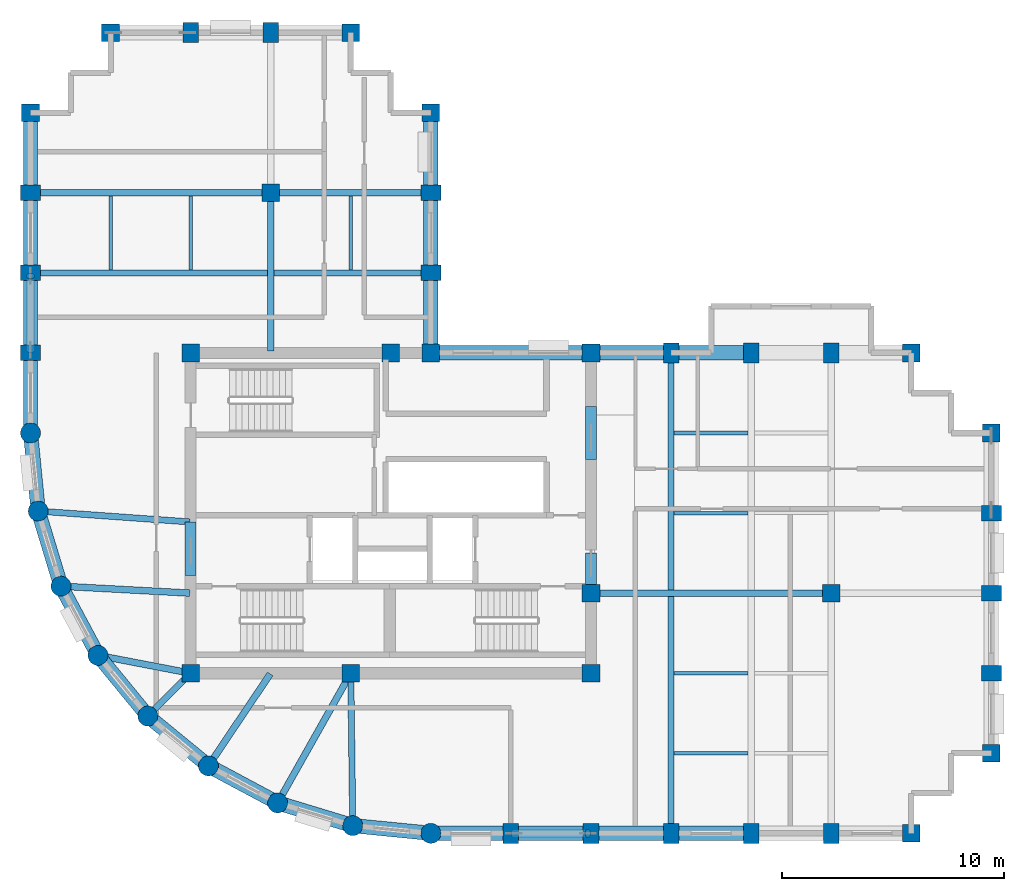
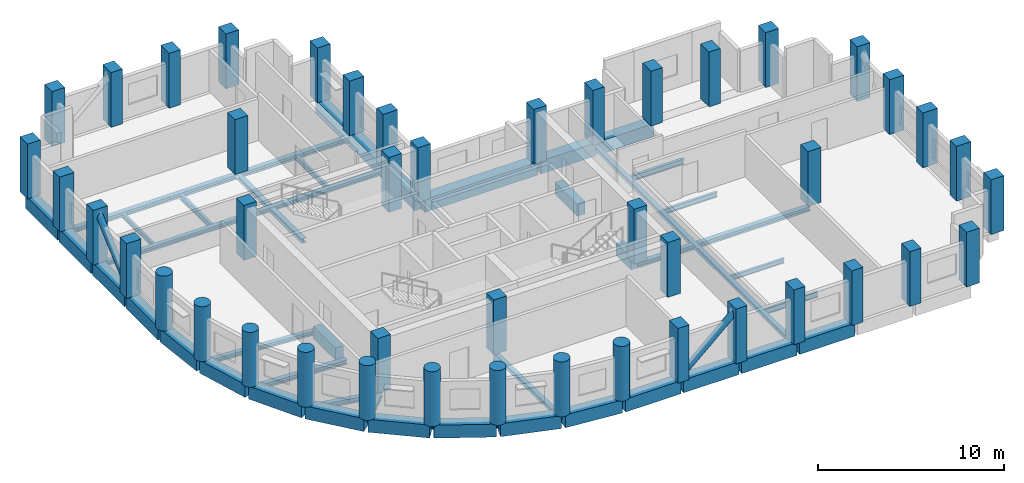
# One storey, part 1 of 7: 45 beams, 45 columns, 2 members.
"""IFC4 building model written with IfcOpenShell, lengths in metres."""

from ifc_helpers import new_model, si_unit, direction, frame, origin, origin_2d, place, context, subcontext, project, spatial, rectangle, circle, hollow_circle, i_section, extrude, material, material_profile, profile_set, type_object, element, save


model = new_model("IFC4")

# Units and contexts
model_context = context("Model", 3, precision=1e-05, world=origin(), true_north=direction((0.0, 1.0)))
body_context = subcontext(model_context, "Body", "Model", "MODEL_VIEW")
ifc_project = project(units=[si_unit("LENGTHUNIT", "METRE"), si_unit("AREAUNIT", "SQUARE_METRE"), si_unit("VOLUMEUNIT", "CUBIC_METRE"), si_unit("PLANEANGLEUNIT", "RADIAN"), si_unit("MASSUNIT", "GRAM", prefix="KILO")], contexts=[model_context])

# Site, building, storey
site_placement = place(None, origin())
site = spatial("IfcSite", under=ifc_project, at=site_placement, CompositionType="ELEMENT")
building_placement = place(site_placement, origin())
building = spatial("IfcBuilding", under=site, at=building_placement, Name="Solnavia Interchange Tower", CompositionType="ELEMENT")
storey_placement = place(building_placement, frame((0.0, 0.0, 213.800048828125)))
storey = spatial("IfcBuildingStorey", under=building, at=storey_placement, Name="L53", CompositionType="ELEMENT", Elevation=213.800048828125)

# Columns
ifc_material_1 = material(Name="Concrete C50/60", Category="concrete")
ifc_material_profile_1 = material_profile(ifc_material_1, rectangle(XDim=0.800048828125, YDim=0.800048828125, at=origin_2d()), Name="RC 800x800")
ifc_profile_set_1 = profile_set([ifc_material_profile_1], Name="Concrete C50/60")
column_type_1 = type_object("IfcColumnType", Name="Col-RC-800x800", PredefinedType="COLUMN", material=ifc_profile_set_1)
for number, where, z_axis, x_axis, name in (
    (1, (7.199951171875, 36.0, 0.0), (0.0, 0.0, 1.0), (0.0, 1.0, 0.0), "COL-L53-05 Tower corner column"),
    (2, (10.800048828125, 39.60009765625, 0.0), (0.0, 0.0, 1.0), (1.0, 0.0, 0.0), "COL-L53-09 Tower corner column"),
    (3, (14.39990234375, 10.800048828125, 0.0), (0.0, 0.0, 1.0), (1.0, 0.0, 0.0), "COL-L53-11 Tower interior column"),
    (4, (14.39990234375, 25.199951171875, 0.0), (0.0, 0.0, 1.0), (1.0, 0.0, 0.0), "COL-L53-12 Tower interior column"),
    (5, (18.0, 32.39990234375, 0.0), (0.0, 0.0, 1.0), (1.0, 0.0, 0.0), "COL-L53-15 Tower interior column"),
    (6, (21.60009765625, 10.800048828125, 0.0), (0.0, 0.0, 1.0), (1.0, 0.0, 0.0), "COL-L53-18 Tower interior column"),
    (7, (21.60009765625, 39.60009765625, 0.0), (0.0, 0.0, 1.0), (1.0, 0.0, 0.0), "COL-L53-19 Tower corner column"),
    (8, (23.39990234375, 25.199951171875, 0.0), (0.0, 0.0, 1.0), (1.0, 0.0, 0.0), "COL-L53-21 Tower interior column"),
    (9, (25.199951171875, 25.199951171875, 0.0), (0.0, 0.0, 1.0), (1.0, 0.0, 0.0), "COL-L53-23 Tower interior column"),
    (10, (25.199951171875, 36.0, 0.0), (0.0, 0.0, 1.0), (0.0, 1.0, 0.0), "COL-L53-26 Tower corner column"),
    (11, (32.39990234375, 10.800048828125, 0.0), (0.0, 0.0, 1.0), (1.0, 0.0, 0.0), "COL-L53-29 Tower interior column"),
    (12, (32.39990234375, 14.39990234375, 0.0), (0.0, 0.0, 1.0), (1.0, 0.0, 0.0), "COL-L53-30 Tower interior column"),
    (13, (32.39990234375, 25.199951171875, 0.0), (0.0, 0.0, 1.0), (1.0, 0.0, 0.0), "COL-L53-31 Tower interior column"),
    (14, (43.199951171875, 14.39990234375, 0.0), (0.0, 0.0, 1.0), (1.0, 0.0, 0.0), "COL-L53-37 Tower interior column"),
    (15, (46.800048828125, 3.60009765625, 0.0), (0.0, 0.0, 1.0), (1.0, 0.0, 0.0), "COL-L53-39 Tower corner column"),
    (16, (46.800048828125, 25.199951171875, 0.0), (0.0, 0.0, 1.0), (1.0, 0.0, 0.0), "COL-L53-40 Tower corner column"),
    (17, (50.39990234375, 7.199951171875, 0.0), (0.0, 0.0, 1.0), (1.0, 0.0, 0.0), "COL-L53-41 Tower corner column"),
    (18, (50.39990234375, 21.60009765625, 0.0), (0.0, 0.0, 1.0), (0.0, 1.0, 0.0), "COL-L53-45 Tower corner column"),
):
    element("IfcColumn", number, at=place(storey_placement, frame(where, z_axis=z_axis, x_axis=x_axis)), inside=storey, type_object=column_type_1, Name=name, PredefinedType="COLUMN", context=body_context, shape_type="SweptSolid", body=[
        extrude(rectangle(XDim=0.800048828125, YDim=0.800048828125, at=origin_2d()), origin(), (0.0, 0.0, 1.0), 3.599853515625),
    ])
ifc_material_profile_2 = material_profile(ifc_material_1, rectangle(XDim=0.699951171875, YDim=0.89990234375, at=origin_2d()), Name="RC 900x700")
ifc_profile_set_2 = profile_set([ifc_material_profile_2], Name="Concrete C50/60")
column_type_2 = type_object("IfcColumnType", Name="Col-RC-900x700", PredefinedType="COLUMN", material=ifc_profile_set_2)
for number, where, z_axis, x_axis, name in (
    (19, (7.199951171875, 25.199951171875, 0.0), (0.0, 0.0, 1.0), (0.0, 1.0, 0.0), "COL-L53-02 Tower perim y column"),
    (20, (7.199951171875, 28.800048828125, 0.0), (0.0, 0.0, 1.0), (0.0, 1.0, 0.0), "COL-L53-03 Tower perim y column"),
    (21, (7.199951171875, 32.39990234375, 0.0), (0.0, 0.0, 1.0), (0.0, 1.0, 0.0), "COL-L53-04 Tower perim y column"),
    (22, (14.39990234375, 39.60009765625, 0.0), (0.0, 0.0, 1.0), (1.0, 0.0, 0.0), "COL-L53-13 Tower perim x column"),
    (23, (18.0, 39.60009765625, 0.0), (0.0, 0.0, 1.0), (1.0, 0.0, 0.0), "COL-L53-16 Tower perim x column"),
    (24, (25.199951171875, 28.800048828125, 0.0), (0.0, 0.0, 1.0), (0.0, 1.0, 0.0), "COL-L53-24 Tower perim y column"),
    (25, (25.199951171875, 32.39990234375, 0.0), (0.0, 0.0, 1.0), (0.0, 1.0, 0.0), "COL-L53-25 Tower perim y column"),
    (26, (28.800048828125, 3.60009765625, 0.0), (0.0, 0.0, 1.0), (1.0, 0.0, 0.0), "COL-L53-27 Tower perim x column"),
    (27, (32.39990234375, 3.60009765625, 0.0), (0.0, 0.0, 1.0), (1.0, 0.0, 0.0), "COL-L53-28 Tower perim x column"),
    (28, (36.0, 3.60009765625, 0.0), (0.0, 0.0, 1.0), (1.0, 0.0, 0.0), "COL-L53-32 Tower perim x column"),
    (29, (36.0, 25.199951171875, 0.0), (0.0, 0.0, 1.0), (1.0, 0.0, 0.0), "COL-L53-33 Tower perim x column"),
    (30, (39.60009765625, 3.60009765625, 0.0), (0.0, 0.0, 1.0), (1.0, 0.0, 0.0), "COL-L53-34 Tower perim x column"),
    (31, (39.60009765625, 25.199951171875, 0.0), (0.0, 0.0, 1.0), (1.0, 0.0, 0.0), "COL-L53-35 Tower perim x column"),
    (32, (43.199951171875, 3.60009765625, 0.0), (0.0, 0.0, 1.0), (1.0, 0.0, 0.0), "COL-L53-36 Tower perim x column"),
    (33, (43.199951171875, 25.199951171875, 0.0), (0.0, 0.0, 1.0), (1.0, 0.0, 0.0), "COL-L53-38 Tower perim x column"),
    (34, (50.39990234375, 10.800048828125, 0.0), (0.0, 0.0, 1.0), (0.0, 1.0, 0.0), "COL-L53-42 Tower perim y column"),
    (35, (50.39990234375, 14.39990234375, 0.0), (0.0, 0.0, 1.0), (0.0, 1.0, 0.0), "COL-L53-43 Tower perim y column"),
    (36, (50.39990234375, 18.0, 0.0), (0.0, 0.0, 1.0), (0.0, 1.0, 0.0), "COL-L53-44 Tower perim y column"),
):
    element("IfcColumn", number, at=place(storey_placement, frame(where, z_axis=z_axis, x_axis=x_axis)), inside=storey, type_object=column_type_2, Name=name, PredefinedType="COLUMN", context=body_context, shape_type="SweptSolid", body=[
        extrude(rectangle(XDim=0.699951171875, YDim=0.89990234375, at=origin_2d()), origin(), (0.0, 0.0, 1.0), 3.599853515625),
    ])
ifc_material_profile_3 = material_profile(ifc_material_1, circle(Radius=0.449951171875, at=origin_2d()), Name="RC D900")
ifc_profile_set_3 = profile_set([ifc_material_profile_3], Name="Concrete C50/60")
column_type_3 = type_object("IfcColumnType", Name="Col-RC-D900", PredefinedType="COLUMN", material=ifc_profile_set_3)
for number, where, z_axis, x_axis, name in (
    (37, (7.199951171875, 21.60009765625, 0.0), (0.0, 0.0, 1.0), (1.0, 0.0, 0.0), "COL-L53-01 Tower drum column"),
    (38, (7.5458984375, 18.087890625, 0.0), (0.0, 0.0, 1.0), (1.0, 0.0, 0.0), "COL-L53-06 Tower drum column"),
    (39, (8.570068359375, 14.7119140625, 0.0), (0.0, 0.0, 1.0), (1.0, 0.0, 0.0), "COL-L53-07 Tower drum column"),
    (40, (10.23388671875, 11.60009765625, 0.0), (0.0, 0.0, 1.0), (1.0, 0.0, 0.0), "COL-L53-08 Tower drum column"),
    (41, (12.471923828125, 8.8720703125, 0.0), (0.0, 0.0, 1.0), (1.0, 0.0, 0.0), "COL-L53-10 Tower drum column"),
    (42, (15.199951171875, 6.634033203125, 0.0), (0.0, 0.0, 1.0), (1.0, 0.0, 0.0), "COL-L53-14 Tower drum column"),
    (43, (18.31201171875, 4.969970703125, 0.0), (0.0, 0.0, 1.0), (1.0, 0.0, 0.0), "COL-L53-17 Tower drum column"),
    (44, (21.68798828125, 3.946044921875, 0.0), (0.0, 0.0, 1.0), (1.0, 0.0, 0.0), "COL-L53-20 Tower drum column"),
    (45, (25.199951171875, 3.60009765625, 0.0), (0.0, 0.0, 1.0), (1.0, 0.0, 0.0), "COL-L53-22 Tower drum column"),
):
    element("IfcColumn", number, at=place(storey_placement, frame(where, z_axis=z_axis, x_axis=x_axis)), inside=storey, type_object=column_type_3, Name=name, PredefinedType="COLUMN", context=body_context, shape_type="SweptSolid", body=[
        extrude(circle(Radius=0.449951171875, at=origin_2d()), origin(), (0.0, 0.0, 1.0), 3.599853515625),
    ])

# Beams
ifc_material_profile_4 = material_profile(ifc_material_1, rectangle(XDim=0.5, YDim=0.800048828125, at=origin_2d()), Name="RC 500x800")
ifc_profile_set_4 = profile_set([ifc_material_profile_4], Name="Concrete C50/60")
beam_type_1 = type_object("IfcBeamType", Name="Beam-Coupling-RC500x800", PredefinedType="LINTEL", material=ifc_profile_set_4)
beam_1_placement = place(storey_placement, frame((14.39990234375, 15.199951171875, -0.400146484375), z_axis=(0.0, 1.0, 0.0), x_axis=(-1.0, 0.0, 0.0)))
element("IfcBeam", 46, at=beam_1_placement, inside=storey, type_object=beam_type_1, Name="CPB-L53-W1 Core coupling lintel beam", PredefinedType="LINTEL", context=body_context, shape_type="SweptSolid", body=[
    extrude(rectangle(XDim=0.5, YDim=0.800048828125, at=origin_2d()), origin(), (0.0, 0.0, 1.0), 2.400146484375),
])
beam_2_placement = place(storey_placement, frame((32.39990234375, 14.60009765625, -0.400146484375), z_axis=(0.0, 1.0, 0.0), x_axis=(-1.0, 0.0, 0.0)))
element("IfcBeam", 47, at=beam_2_placement, inside=storey, type_object=beam_type_1, Name="CPB-L53-E1 Core coupling lintel beam", PredefinedType="LINTEL", context=body_context, shape_type="SweptSolid", body=[
    extrude(rectangle(XDim=0.5, YDim=0.800048828125, at=origin_2d()), origin(), (0.0, 0.0, 1.0), 1.599853515625),
])
beam_3_placement = place(storey_placement, frame((32.39990234375, 20.39990234375, -0.400146484375), z_axis=(0.0, 1.0, 0.0), x_axis=(-1.0, 0.0, 0.0)))
element("IfcBeam", 48, at=beam_3_placement, inside=storey, type_object=beam_type_1, Name="CPB-L53-E2 Core coupling lintel beam", PredefinedType="LINTEL", context=body_context, shape_type="SweptSolid", body=[
    extrude(rectangle(XDim=0.5, YDim=0.800048828125, at=origin_2d()), origin(), (0.0, 0.0, 1.0), 2.400146484375),
])
ifc_material_2 = material(Name="Steel S460", Category="steel")
ifc_material_profile_5 = material_profile(ifc_material_2, i_section(OverallWidth=0.300048828125, OverallDepth=0.300048828125, WebThickness=0.010986328125, FlangeThickness=0.01904296875, FilletRadius=0.027099609375, at=origin_2d()), Name="HEB 300")
ifc_profile_set_5 = profile_set([ifc_material_profile_5], Name="Steel S460")
beam_type_2 = type_object("IfcBeamType", Name="Beam-Girder-HEB300", PredefinedType="BEAM", material=ifc_profile_set_5)
beam_4_placement = place(storey_placement, frame((32.47998046875, 14.39990234375, -0.400146484375), z_axis=(1.0, 0.0, 0.0), x_axis=(0.0, 1.0, 0.0)))
element("IfcBeam", 49, at=beam_4_placement, inside=storey, type_object=beam_type_2, Name="GRD-L53-ES01 East wing spine girder", PredefinedType="BEAM", context=body_context, shape_type="SweptSolid", body=[
    extrude(i_section(OverallWidth=0.300048828125, OverallDepth=0.300048828125, WebThickness=0.010986328125, FlangeThickness=0.01904296875, FilletRadius=0.027099609375, at=origin_2d()), origin(), (0.0, 0.0, 1.0), 10.64013671875),
])
beam_5_placement = place(storey_placement, frame((18.0, 25.280029296875, -0.400146484375), z_axis=(0.0, 1.0, 0.0), x_axis=(-1.0, 0.0, 0.0)))
element("IfcBeam", 50, at=beam_5_placement, inside=storey, type_object=beam_type_2, Name="GRD-L53-NS07 North wing spine girder", PredefinedType="BEAM", context=body_context, shape_type="SweptSolid", body=[
    extrude(i_section(OverallWidth=0.300048828125, OverallDepth=0.300048828125, WebThickness=0.010986328125, FlangeThickness=0.01904296875, FilletRadius=0.027099609375, at=origin_2d()), origin(), (0.0, 0.0, 1.0), 7.0400390625),
])
beam_6_placement = place(storey_placement, frame((7.280029296875, 32.39990234375, -0.400146484375), z_axis=(1.0, 0.0, 0.0), x_axis=(0.0, 1.0, 0.0)))
element("IfcBeam", 51, at=beam_6_placement, inside=storey, type_object=beam_type_2, Name="GRD-L53-NW10 North wing primary floor girder", PredefinedType="BEAM", context=body_context, shape_type="SweptSolid", body=[
    extrude(i_section(OverallWidth=0.300048828125, OverallDepth=0.300048828125, WebThickness=0.010986328125, FlangeThickness=0.01904296875, FilletRadius=0.027099609375, at=origin_2d()), origin(), (0.0, 0.0, 1.0), 10.639892578125),
])
beam_7_placement = place(storey_placement, frame((18.080078125, 32.39990234375, -0.400146484375), z_axis=(1.0, 0.0, 0.0), x_axis=(0.0, 1.0, 0.0)))
element("IfcBeam", 52, at=beam_7_placement, inside=storey, type_object=beam_type_2, Name="GRD-L53-NW11 North wing primary floor girder", PredefinedType="BEAM", context=body_context, shape_type="SweptSolid", body=[
    extrude(i_section(OverallWidth=0.300048828125, OverallDepth=0.300048828125, WebThickness=0.010986328125, FlangeThickness=0.01904296875, FilletRadius=0.027099609375, at=origin_2d()), origin(), (0.0, 0.0, 1.0), 7.0400390625),
])
beam_8_placement = place(storey_placement, frame((8.64990234375, 14.707763671875, -0.400146484375), z_axis=(0.998570371303, -0.053452909696, 0.0), x_axis=(0.053452909696, 0.998570371303, 0.0)))
element("IfcBeam", 53, at=beam_8_placement, inside=storey, type_object=beam_type_2, Name="GRD-L53-DR13 Drum radial floor girder", PredefinedType="BEAM", context=body_context, shape_type="SweptSolid", body=[
    extrude(i_section(OverallWidth=0.300048828125, OverallDepth=0.300048828125, WebThickness=0.010986328125, FlangeThickness=0.01904296875, FilletRadius=0.027099609375, at=origin_2d()), origin(), (0.0, 0.0, 1.0), 5.71826171875),
])
beam_9_placement = place(storey_placement, frame((15.24462890625, 6.700439453125, -0.400146484375), z_axis=(0.557835474219, 0.829951555033, 0.0), x_axis=(-0.829951555033, 0.557835474219, 0.0)))
element("IfcBeam", 54, at=beam_9_placement, inside=storey, type_object=beam_type_2, Name="GRD-L53-DR16 Drum radial floor girder", PredefinedType="BEAM", context=body_context, shape_type="SweptSolid", body=[
    extrude(i_section(OverallWidth=0.300048828125, OverallDepth=0.300048828125, WebThickness=0.010986328125, FlangeThickness=0.01904296875, FilletRadius=0.027099609375, at=origin_2d()), origin(), (0.0, 0.0, 1.0), 4.899658203125),
])
ifc_material_3 = material(Name="Steel S355", Category="steel")
ifc_material_profile_6 = material_profile(ifc_material_3, i_section(OverallWidth=0.14990234375, OverallDepth=0.300048828125, WebThickness=0.007080078125, FlangeThickness=0.0107421875, FilletRadius=0.014892578125, at=origin_2d()), Name="IPE 300")
ifc_profile_set_6 = profile_set([ifc_material_profile_6], Name="Steel S355")
beam_type_3 = type_object("IfcBeamType", Name="Beam-Joist-IPE300", PredefinedType="JOIST", material=ifc_profile_set_6)
for number, where, z_axis, x_axis, name in (
    (55, (36.139892578125, 10.800048828125, -0.400146484375), (1.0, 0.0, 0.0), (0.0, 1.0, 0.0), "JST-L53-E03 East wing secondary joist"),
    (56, (10.800048828125, 28.93994140625, -0.400146484375), (0.0, 1.0, 0.0), (-1.0, 0.0, 0.0), "JST-L53-N09 North wing secondary joist"),
):
    element("IfcBeam", number, at=place(storey_placement, frame(where, z_axis=z_axis, x_axis=x_axis)), inside=storey, type_object=beam_type_3, Name=name, PredefinedType="JOIST", context=body_context, shape_type="SweptSolid", body=[
        extrude(i_section(OverallWidth=0.14990234375, OverallDepth=0.300048828125, WebThickness=0.007080078125, FlangeThickness=0.0107421875, FilletRadius=0.014892578125, at=origin_2d()), origin(), (0.0, 0.0, 1.0), 3.31005859375),
    ])
ifc_material_profile_7 = material_profile(ifc_material_3, i_section(OverallWidth=0.159912109375, OverallDepth=0.330078125, WebThickness=0.007568359375, FlangeThickness=0.011474609375, FilletRadius=0.01806640625, at=origin_2d()), Name="IPE 330")
ifc_profile_set_7 = profile_set([ifc_material_profile_7], Name="Steel S355")
beam_type_4 = type_object("IfcBeamType", Name="Beam-Joist-IPE330", PredefinedType="JOIST", material=ifc_profile_set_7)
for number, where, z_axis, x_axis, name in (
    (57, (36.139892578125, 18.0, -0.4150390625), (1.0, 0.0, 0.0), (0.0, 1.0, 0.0), "JST-L53-E05 East wing secondary joist"),
    (58, (21.60009765625, 28.93994140625, -0.4150390625), (0.0, 1.0, 0.0), (-1.0, 0.0, 0.0), "JST-L53-N11 North wing secondary joist"),
):
    element("IfcBeam", number, at=place(storey_placement, frame(where, z_axis=z_axis, x_axis=x_axis)), inside=storey, type_object=beam_type_4, Name=name, PredefinedType="JOIST", context=body_context, shape_type="SweptSolid", body=[
        extrude(i_section(OverallWidth=0.159912109375, OverallDepth=0.330078125, WebThickness=0.007568359375, FlangeThickness=0.011474609375, FilletRadius=0.01806640625, at=origin_2d()), origin(), (0.0, 0.0, 1.0), 3.31005859375),
    ])
ifc_material_profile_8 = material_profile(ifc_material_3, i_section(OverallWidth=0.169921875, OverallDepth=0.360107421875, WebThickness=0.008056640625, FlangeThickness=0.0126953125, FilletRadius=0.01806640625, at=origin_2d()), Name="IPE 360")
ifc_profile_set_8 = profile_set([ifc_material_profile_8], Name="Steel S355")
beam_type_5 = type_object("IfcBeamType", Name="Beam-Joist-IPE360", PredefinedType="JOIST", material=ifc_profile_set_8)
for number, where, z_axis, x_axis, name in (
    (59, (36.139892578125, 7.199951171875, -0.429931640625), (1.0, 0.0, 0.0), (0.0, 1.0, 0.0), "JST-L53-E01 East wing secondary joist"),
    (60, (36.139892578125, 21.60009765625, -0.429931640625), (1.0, 0.0, 0.0), (0.0, 1.0, 0.0), "JST-L53-E07 East wing secondary joist"),
    (61, (14.39990234375, 28.93994140625, -0.429931640625), (0.0, 1.0, 0.0), (-1.0, 0.0, 0.0), "JST-L53-N10 North wing secondary joist"),
):
    element("IfcBeam", number, at=place(storey_placement, frame(where, z_axis=z_axis, x_axis=x_axis)), inside=storey, type_object=beam_type_5, Name=name, PredefinedType="JOIST", context=body_context, shape_type="SweptSolid", body=[
        extrude(i_section(OverallWidth=0.169921875, OverallDepth=0.360107421875, WebThickness=0.008056640625, FlangeThickness=0.0126953125, FilletRadius=0.01806640625, at=origin_2d()), origin(), (0.0, 0.0, 1.0), 3.31005859375),
    ])
ifc_material_profile_9 = material_profile(ifc_material_3, i_section(OverallWidth=0.280029296875, OverallDepth=0.27001953125, WebThickness=0.008056640625, FlangeThickness=0.012939453125, FilletRadius=0.02392578125, at=origin_2d()), Name="HEA 280")
ifc_profile_set_9 = profile_set([ifc_material_profile_9], Name="Steel S355")
beam_type_6 = type_object("IfcBeamType", Name="Beam-Primary-HEA280", PredefinedType="BEAM", material=ifc_profile_set_9)
beam_10_placement = place(storey_placement, frame((36.0, 3.679931640625, -0.385009765625), z_axis=(0.0, 1.0, 0.0), x_axis=(-1.0, 0.0, 0.0)))
element("IfcBeam", 62, at=beam_10_placement, inside=storey, type_object=beam_type_6, Name="GRD-L53-EW03 East wing primary floor girder", PredefinedType="BEAM", context=body_context, shape_type="SweptSolid", body=[
    extrude(i_section(OverallWidth=0.280029296875, OverallDepth=0.27001953125, WebThickness=0.008056640625, FlangeThickness=0.012939453125, FilletRadius=0.02392578125, at=origin_2d()), origin(), (0.0, 0.0, 1.0), 21.440185546875),
])
beam_11_placement = place(storey_placement, frame((7.280029296875, 28.800048828125, -0.385009765625), z_axis=(1.0, 0.0, 0.0), x_axis=(0.0, 1.0, 0.0)))
element("IfcBeam", 63, at=beam_11_placement, inside=storey, type_object=beam_type_6, Name="GRD-L53-NW09 North wing primary floor girder", PredefinedType="BEAM", context=body_context, shape_type="SweptSolid", body=[
    extrude(i_section(OverallWidth=0.280029296875, OverallDepth=0.27001953125, WebThickness=0.008056640625, FlangeThickness=0.012939453125, FilletRadius=0.02392578125, at=origin_2d()), origin(), (0.0, 0.0, 1.0), 17.840087890625),
])
beam_12_placement = place(storey_placement, frame((7.625732421875, 18.082275390625, -0.385009765625), z_axis=(0.99747482749, -0.071020902015, 0.0), x_axis=(0.071020902015, 0.99747482749, 0.0)))
element("IfcBeam", 64, at=beam_12_placement, inside=storey, type_object=beam_type_6, Name="GRD-L53-DR12 Drum radial floor girder", PredefinedType="BEAM", context=body_context, shape_type="SweptSolid", body=[
    extrude(i_section(OverallWidth=0.280029296875, OverallDepth=0.27001953125, WebThickness=0.008056640625, FlangeThickness=0.012939453125, FilletRadius=0.02392578125, at=origin_2d()), origin(), (0.0, 0.0, 1.0), 6.75146484375),
])
beam_13_placement = place(storey_placement, frame((12.528564453125, 8.9287109375, -0.385009765625), z_axis=(0.707106781187, 0.707106781187, 0.0), x_axis=(-0.707106781187, 0.707106781187, 0.0)))
element("IfcBeam", 65, at=beam_13_placement, inside=storey, type_object=beam_type_6, Name="GRD-L53-DR15 Drum radial floor girder", PredefinedType="BEAM", context=body_context, shape_type="SweptSolid", body=[
    extrude(i_section(OverallWidth=0.280029296875, OverallDepth=0.27001953125, WebThickness=0.008056640625, FlangeThickness=0.012939453125, FilletRadius=0.02392578125, at=origin_2d()), origin(), (0.0, 0.0, 1.0), 2.6064453125),
])
beam_14_placement = place(storey_placement, frame((21.68701171875, 4.02587890625, -0.385009765625), z_axis=(-0.01283293513, 0.999917654498, 0.0), x_axis=(-0.999917654498, -0.01283293513, 0.0)))
element("IfcBeam", 66, at=beam_14_placement, inside=storey, type_object=beam_type_6, Name="GRD-L53-DR18 Drum radial floor girder", PredefinedType="BEAM", context=body_context, shape_type="SweptSolid", body=[
    extrude(i_section(OverallWidth=0.280029296875, OverallDepth=0.27001953125, WebThickness=0.008056640625, FlangeThickness=0.012939453125, FilletRadius=0.02392578125, at=origin_2d()), origin(), (0.0, 0.0, 1.0), 6.734619140625),
])
ifc_material_profile_10 = material_profile(ifc_material_3, i_section(OverallWidth=0.300048828125, OverallDepth=0.31005859375, WebThickness=0.009033203125, FlangeThickness=0.015380859375, FilletRadius=0.027099609375, at=origin_2d()), Name="HEA 320")
ifc_profile_set_10 = profile_set([ifc_material_profile_10], Name="Steel S355")
beam_type_7 = type_object("IfcBeamType", Name="Beam-Primary-HEA320", PredefinedType="BEAM", material=ifc_profile_set_10)
beam_15_placement = place(storey_placement, frame((10.3125, 11.5849609375, -0.405029296875), z_axis=(0.982057527796, -0.188581579428, 0.0), x_axis=(0.188581579428, 0.982057527796, 0.0)))
element("IfcBeam", 67, at=beam_15_placement, inside=storey, type_object=beam_type_7, Name="GRD-L53-DR14 Drum radial floor girder", PredefinedType="BEAM", context=body_context, shape_type="SweptSolid", body=[
    extrude(i_section(OverallWidth=0.300048828125, OverallDepth=0.31005859375, WebThickness=0.009033203125, FlangeThickness=0.015380859375, FilletRadius=0.027099609375, at=origin_2d()), origin(), (0.0, 0.0, 1.0), 4.1220703125),
])
beam_16_placement = place(storey_placement, frame((18.351318359375, 5.039794921875, -0.405029296875), z_axis=(0.491243158486, 0.871022479182, 0.0), x_axis=(-0.871022479182, 0.491243158486, 0.0)))
element("IfcBeam", 68, at=beam_16_placement, inside=storey, type_object=beam_type_7, Name="GRD-L53-DR17 Drum radial floor girder", PredefinedType="BEAM", context=body_context, shape_type="SweptSolid", body=[
    extrude(i_section(OverallWidth=0.300048828125, OverallDepth=0.31005859375, WebThickness=0.009033203125, FlangeThickness=0.015380859375, FilletRadius=0.027099609375, at=origin_2d()), origin(), (0.0, 0.0, 1.0), 6.5732421875),
])
ifc_material_profile_11 = material_profile(ifc_material_1, rectangle(XDim=0.64990234375, YDim=0.85009765625, at=origin_2d()), Name="RC 650x850")
ifc_profile_set_11 = profile_set([ifc_material_profile_11], Name="Concrete C50/60")
beam_type_8 = type_object("IfcBeamType", Name="Beam-Spandrel-RC650x850", PredefinedType="SPANDREL", material=ifc_profile_set_11)
beam_17_placement = place(storey_placement, frame((7.207763671875, 21.5205078125, -0.425048828125), z_axis=(0.098040038117, -0.995182471171, 0.0), x_axis=(0.995182471171, 0.098040038117, 0.0)))
element("IfcBeam", 69, at=beam_17_placement, inside=storey, type_object=beam_type_8, Name="SPB-L53-01 Framed-tube perimeter spandrel beam", PredefinedType="SPANDREL", context=body_context, shape_type="SweptSolid", body=[
    extrude(rectangle(XDim=0.64990234375, YDim=0.85009765625, at=origin_2d()), origin(), (0.0, 0.0, 1.0), 3.369140625),
])
beam_18_placement = place(storey_placement, frame((7.569091796875, 18.011474609375, -0.425048828125), z_axis=(0.290319223646, -0.956929855518, 0.0), x_axis=(0.956929855518, 0.290319223646, 0.0)))
element("IfcBeam", 70, at=beam_18_placement, inside=storey, type_object=beam_type_8, Name="SPB-L53-02 Framed-tube perimeter spandrel beam", PredefinedType="SPANDREL", context=body_context, shape_type="SweptSolid", body=[
    extrude(rectangle(XDim=0.64990234375, YDim=0.85009765625, at=origin_2d()), origin(), (0.0, 0.0, 1.0), 3.367919921875),
])
beam_19_placement = place(storey_placement, frame((8.607666015625, 14.6416015625, -0.425048828125), z_axis=(0.471509422952, -0.881861023102, 0.0), x_axis=(0.881861023102, 0.471509422952, 0.0)))
element("IfcBeam", 71, at=beam_19_placement, inside=storey, type_object=beam_type_8, Name="SPB-L53-03 Framed-tube perimeter spandrel beam", PredefinedType="SPANDREL", context=body_context, shape_type="SweptSolid", body=[
    extrude(rectangle(XDim=0.64990234375, YDim=0.85009765625, at=origin_2d()), origin(), (0.0, 0.0, 1.0), 3.369140625),
])
for number, where, z_axis, x_axis, name in (
    (72, (10.28466796875, 11.5380859375, -0.425048828125), (0.634298841675, -0.773087950656, 0.0), (0.773087950656, 0.634298841675, 0.0), "SPB-L53-04 Framed-tube perimeter spandrel beam"),
    (73, (12.53369140625, 8.8212890625, -0.425048828125), (0.773152644452, -0.634219984214, 0.0), (0.634219984214, 0.773152644452, 0.0), "SPB-L53-05 Framed-tube perimeter spandrel beam"),
):
    element("IfcBeam", number, at=place(storey_placement, frame(where, z_axis=z_axis, x_axis=x_axis)), inside=storey, type_object=beam_type_8, Name=name, PredefinedType="SPANDREL", context=body_context, shape_type="SweptSolid", body=[
        extrude(rectangle(XDim=0.64990234375, YDim=0.85009765625, at=origin_2d()), origin(), (0.0, 0.0, 1.0), 3.36865234375),
    ])
beam_20_placement = place(storey_placement, frame((15.2705078125, 6.59619140625, -0.425048828125), z_axis=(0.881875044348, -0.47148319817, 0.0), x_axis=(0.47148319817, 0.881875044348, 0.0)))
element("IfcBeam", 74, at=beam_20_placement, inside=storey, type_object=beam_type_8, Name="SPB-L53-06 Framed-tube perimeter spandrel beam", PredefinedType="SPANDREL", context=body_context, shape_type="SweptSolid", body=[
    extrude(rectangle(XDim=0.64990234375, YDim=0.85009765625, at=origin_2d()), origin(), (0.0, 0.0, 1.0), 3.368896484375),
])
beam_21_placement = place(storey_placement, frame((18.388671875, 4.94677734375, -0.425048828125), z_axis=(0.956943884494, -0.290272978297, 0.0), x_axis=(0.290272978297, 0.956943884494, 0.0)))
element("IfcBeam", 75, at=beam_21_placement, inside=storey, type_object=beam_type_8, Name="SPB-L53-07 Framed-tube perimeter spandrel beam", PredefinedType="SPANDREL", context=body_context, shape_type="SweptSolid", body=[
    extrude(rectangle(XDim=0.64990234375, YDim=0.85009765625, at=origin_2d()), origin(), (0.0, 0.0, 1.0), 3.36767578125),
])
beam_22_placement = place(storey_placement, frame((21.767578125, 3.938232421875, -0.425048828125), z_axis=(0.995181774609, -0.098047108501, 0.0), x_axis=(0.098047108501, 0.995181774609, 0.0)))
element("IfcBeam", 76, at=beam_22_placement, inside=storey, type_object=beam_type_8, Name="SPB-L53-08 Framed-tube perimeter spandrel beam", PredefinedType="SPANDREL", context=body_context, shape_type="SweptSolid", body=[
    extrude(rectangle(XDim=0.64990234375, YDim=0.85009765625, at=origin_2d()), origin(), (0.0, 0.0, 1.0), 3.368896484375),
])
beam_23_placement = place(storey_placement, frame((25.280029296875, 3.60009765625, -0.425048828125), z_axis=(1.0, 0.0, 0.0), x_axis=(0.0, 1.0, 0.0)))
element("IfcBeam", 77, at=beam_23_placement, inside=storey, type_object=beam_type_8, Name="SPB-L53-09 Framed-tube perimeter spandrel beam", PredefinedType="SPANDREL", context=body_context, shape_type="SweptSolid", body=[
    extrude(rectangle(XDim=0.64990234375, YDim=0.85009765625, at=origin_2d()), origin(), (0.0, 0.0, 1.0), 3.43994140625),
])
beam_24_placement = place(storey_placement, frame((28.8798828125, 3.60009765625, -0.425048828125), z_axis=(1.0, 0.0, 0.0), x_axis=(0.0, 1.0, 0.0)))
element("IfcBeam", 78, at=beam_24_placement, inside=storey, type_object=beam_type_8, Name="SPB-L53-10 Framed-tube perimeter spandrel beam", PredefinedType="SPANDREL", context=body_context, shape_type="SweptSolid", body=[
    extrude(rectangle(XDim=0.64990234375, YDim=0.85009765625, at=origin_2d()), origin(), (0.0, 0.0, 1.0), 3.440185546875),
])
for number, where, z_axis, x_axis, name in (
    (79, (32.47998046875, 3.60009765625, -0.425048828125), (1.0, 0.0, 0.0), (0.0, 1.0, 0.0), "SPB-L53-11 Framed-tube perimeter spandrel beam"),
    (80, (36.080078125, 3.60009765625, -0.425048828125), (1.0, 0.0, 0.0), (0.0, 1.0, 0.0), "SPB-L53-12 Framed-tube perimeter spandrel beam"),
    (81, (39.52001953125, 25.199951171875, -0.425048828125), (-1.0, 0.0, 0.0), (0.0, -1.0, 0.0), "SPB-L53-21 Framed-tube perimeter spandrel beam"),
    (82, (35.919921875, 25.199951171875, -0.425048828125), (-1.0, 0.0, 0.0), (0.0, -1.0, 0.0), "SPB-L53-22 Framed-tube perimeter spandrel beam"),
):
    element("IfcBeam", number, at=place(storey_placement, frame(where, z_axis=z_axis, x_axis=x_axis)), inside=storey, type_object=beam_type_8, Name=name, PredefinedType="SPANDREL", context=body_context, shape_type="SweptSolid", body=[
        extrude(rectangle(XDim=0.64990234375, YDim=0.85009765625, at=origin_2d()), origin(), (0.0, 0.0, 1.0), 3.43994140625),
    ])
beam_25_placement = place(storey_placement, frame((32.320068359375, 25.199951171875, -0.425048828125), z_axis=(-1.0, 0.0, 0.0), x_axis=(0.0, -1.0, 0.0)))
element("IfcBeam", 83, at=beam_25_placement, inside=storey, type_object=beam_type_8, Name="SPB-L53-23 Framed-tube perimeter spandrel beam", PredefinedType="SPANDREL", context=body_context, shape_type="SweptSolid", body=[
    extrude(rectangle(XDim=0.64990234375, YDim=0.85009765625, at=origin_2d()), origin(), (0.0, 0.0, 1.0), 7.0400390625),
])
beam_26_placement = place(storey_placement, frame((25.199951171875, 25.280029296875, -0.425048828125), z_axis=(0.0, 1.0, 0.0), x_axis=(-1.0, 0.0, 0.0)))
element("IfcBeam", 84, at=beam_26_placement, inside=storey, type_object=beam_type_8, Name="SPB-L53-24 Framed-tube perimeter spandrel beam", PredefinedType="SPANDREL", context=body_context, shape_type="SweptSolid", body=[
    extrude(rectangle(XDim=0.64990234375, YDim=0.85009765625, at=origin_2d()), origin(), (0.0, 0.0, 1.0), 3.43994140625),
])
beam_27_placement = place(storey_placement, frame((25.199951171875, 28.8798828125, -0.425048828125), z_axis=(0.0, 1.0, 0.0), x_axis=(-1.0, 0.0, 0.0)))
element("IfcBeam", 85, at=beam_27_placement, inside=storey, type_object=beam_type_8, Name="SPB-L53-25 Framed-tube perimeter spandrel beam", PredefinedType="SPANDREL", context=body_context, shape_type="SweptSolid", body=[
    extrude(rectangle(XDim=0.64990234375, YDim=0.85009765625, at=origin_2d()), origin(), (0.0, 0.0, 1.0), 3.440185546875),
])
for number, where, z_axis, x_axis, name in (
    (86, (25.199951171875, 32.47998046875, -0.425048828125), (0.0, 1.0, 0.0), (-1.0, 0.0, 0.0), "SPB-L53-26 Framed-tube perimeter spandrel beam"),
    (87, (7.199951171875, 35.919921875, -0.425048828125), (0.0, -1.0, 0.0), (1.0, 0.0, 0.0), "SPB-L53-30 Framed-tube perimeter spandrel beam"),
):
    element("IfcBeam", number, at=place(storey_placement, frame(where, z_axis=z_axis, x_axis=x_axis)), inside=storey, type_object=beam_type_8, Name=name, PredefinedType="SPANDREL", context=body_context, shape_type="SweptSolid", body=[
        extrude(rectangle(XDim=0.64990234375, YDim=0.85009765625, at=origin_2d()), origin(), (0.0, 0.0, 1.0), 3.43994140625),
    ])
beam_28_placement = place(storey_placement, frame((7.199951171875, 32.320068359375, -0.425048828125), z_axis=(0.0, -1.0, 0.0), x_axis=(1.0, 0.0, 0.0)))
element("IfcBeam", 88, at=beam_28_placement, inside=storey, type_object=beam_type_8, Name="SPB-L53-31 Framed-tube perimeter spandrel beam", PredefinedType="SPANDREL", context=body_context, shape_type="SweptSolid", body=[
    extrude(rectangle(XDim=0.64990234375, YDim=0.85009765625, at=origin_2d()), origin(), (0.0, 0.0, 1.0), 3.440185546875),
])
beam_29_placement = place(storey_placement, frame((7.199951171875, 28.719970703125, -0.425048828125), z_axis=(0.0, -1.0, 0.0), x_axis=(1.0, 0.0, 0.0)))
element("IfcBeam", 89, at=beam_29_placement, inside=storey, type_object=beam_type_8, Name="SPB-L53-32 Framed-tube perimeter spandrel beam", PredefinedType="SPANDREL", context=body_context, shape_type="SweptSolid", body=[
    extrude(rectangle(XDim=0.64990234375, YDim=0.85009765625, at=origin_2d()), origin(), (0.0, 0.0, 1.0), 3.43994140625),
])
beam_30_placement = place(storey_placement, frame((7.199951171875, 25.1201171875, -0.425048828125), z_axis=(0.0, -1.0, 0.0), x_axis=(1.0, 0.0, 0.0)))
element("IfcBeam", 90, at=beam_30_placement, inside=storey, type_object=beam_type_8, Name="SPB-L53-33 Framed-tube perimeter spandrel beam", PredefinedType="SPANDREL", context=body_context, shape_type="SweptSolid", body=[
    extrude(rectangle(XDim=0.64990234375, YDim=0.85009765625, at=origin_2d()), origin(), (0.0, 0.0, 1.0), 3.440185546875),
])

# Members
ifc_material_profile_12 = material_profile(ifc_material_2, hollow_circle(Radius=0.203125, WallThickness=0.02001953125, at=origin_2d()), Name="CHS 406.4x20")
ifc_profile_set_12 = profile_set([ifc_material_profile_12], Name="Steel S460")
member_type = type_object("IfcMemberType", Name="Brace-Perim-CHS406", PredefinedType="BRACE", material=ifc_profile_set_12)
member_1_placement = place(storey_placement, frame((28.93994140625, 3.60009765625, 0.179931640625), z_axis=(0.74307946371, 0.0, 0.669203190827), x_axis=(0.0, 1.0, 0.0)))
element("IfcMember", 91, at=member_1_placement, inside=storey, type_object=member_type, Name="BRC-L53-01 Perimeter tube diagonal brace", PredefinedType="BRACE", context=body_context, shape_type="SweptSolid", body=[
    extrude(hollow_circle(Radius=0.203125, WallThickness=0.02001953125, at=origin_2d()), origin(), (0.0, 0.0, 1.0), 4.468017578125),
])
member_2_placement = place(storey_placement, frame((7.199951171875, 25.340087890625, 0.179931640625), z_axis=(0.0, 0.743054991638, 0.669230363479), x_axis=(-1.0, 0.0, 0.0)))
element("IfcMember", 92, at=member_2_placement, inside=storey, type_object=member_type, Name="BRC-L53-02 Perimeter tube diagonal brace", PredefinedType="BRACE", context=body_context, shape_type="SweptSolid", body=[
    extrude(hollow_circle(Radius=0.203125, WallThickness=0.02001953125, at=origin_2d()), origin(), (0.0, 0.0, 1.0), 4.4677734375),
])

save(model, "model.ifc")
